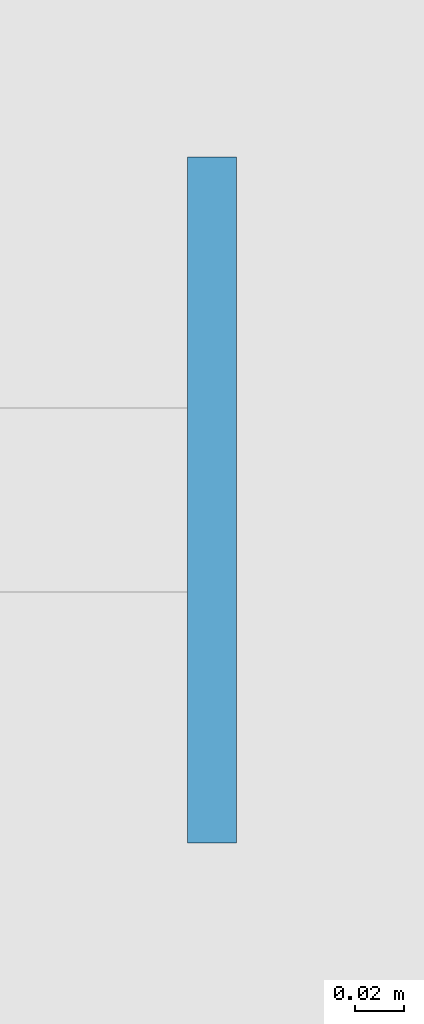
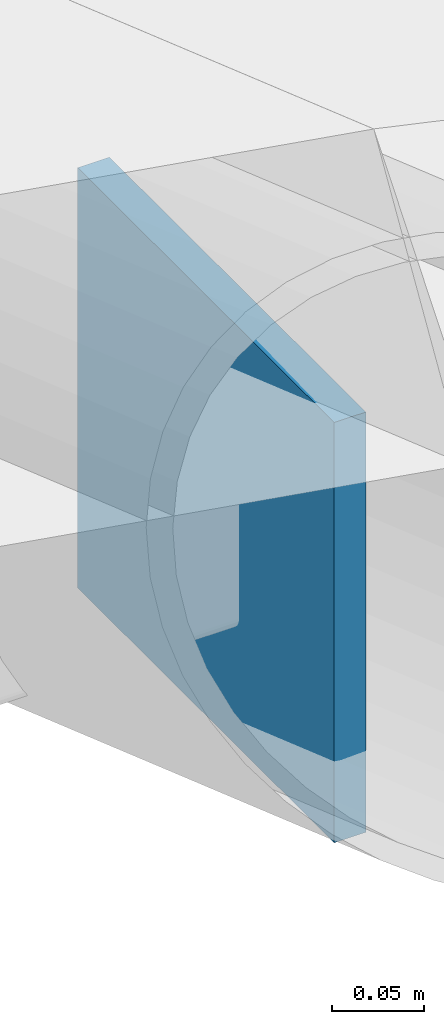
# One storey, part 93 of 93: 1 plate.
"""IFC4 building model written with IfcOpenShell, lengths in metres."""

from ifc_helpers import new_model, si_unit, derived_unit, direction, frame, origin, origin_2d_with_axis, place, context, subcontext, project, spatial, rectangle, extrude, material, layer, layer_set, type_object, element, save


model = new_model("IFC4")

# Units and contexts
model_context = context("Model", 3, precision=1e-05, world=origin(), true_north=direction((0.0, 1.0)))
body_context = subcontext(model_context, "Body", "Model", "MODEL_VIEW")
ifc_project = project(units=[si_unit("LENGTHUNIT", "METRE"), si_unit("AREAUNIT", "SQUARE_METRE"), si_unit("VOLUMEUNIT", "CUBIC_METRE"), si_unit("PLANEANGLEUNIT", "RADIAN"), si_unit("MASSUNIT", "GRAM", prefix="KILO"), derived_unit("THERMALTRANSMITTANCEUNIT", [(si_unit("POWERUNIT", "WATT"), 1), (si_unit("LENGTHUNIT", "METRE"), -2), (si_unit("THERMODYNAMICTEMPERATUREUNIT", "KELVIN"), -1)])], contexts=[model_context])

# Site, building, storey
site_placement = place(None, origin())
site = spatial("IfcSite", under=ifc_project, at=site_placement, CompositionType="ELEMENT")
building_placement = place(site_placement, origin())
building = spatial("IfcBuilding", under=site, at=building_placement, Name="Cinnabar Yard Market Hall", CompositionType="ELEMENT")
storey_placement = place(building_placement, frame((0.0, 0.0, 23.800048828125)))
storey = spatial("IfcBuildingStorey", under=building, at=storey_placement, Name="ROOF", CompositionType="ELEMENT", Elevation=23.800048828125)

# Plate
ifc_material = material(Name="Steel Grade 350 (350 MPa)", Category="steel")
ifc_layer = layer(ifc_material, 0.280029296875)
ifc_layer_set = layer_set([ifc_layer], Name="Steel Grade 350 (350 MPa)")
plate_type = type_object("IfcPlateType", Name="PL-NP17", PredefinedType="SHEET", material=ifc_layer_set)
plate_placement = place(storey_placement, frame((146.0, 72.0, -6.72607421875), z_axis=(0.0, 0.0, 1.0), x_axis=(1.0, 0.0, 0.0)))
element("IfcPlate", 1, at=plate_placement, inside=storey, type_object=plate_type, Name="Purlin End Cap Y72 E", PredefinedType="SHEET", context=body_context, shape_type="SweptSolid", body=[
    extrude(rectangle(XDim=0.02001953125, YDim=0.280029296875, at=origin_2d_with_axis()), origin(), (0.0, 0.0, 1.0), 0.280029296875),
])

save(model, "model.ifc")
